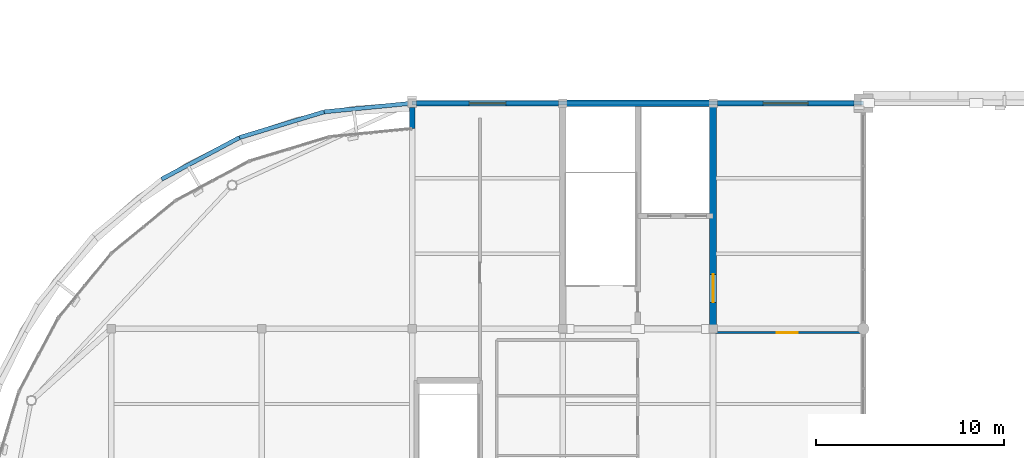
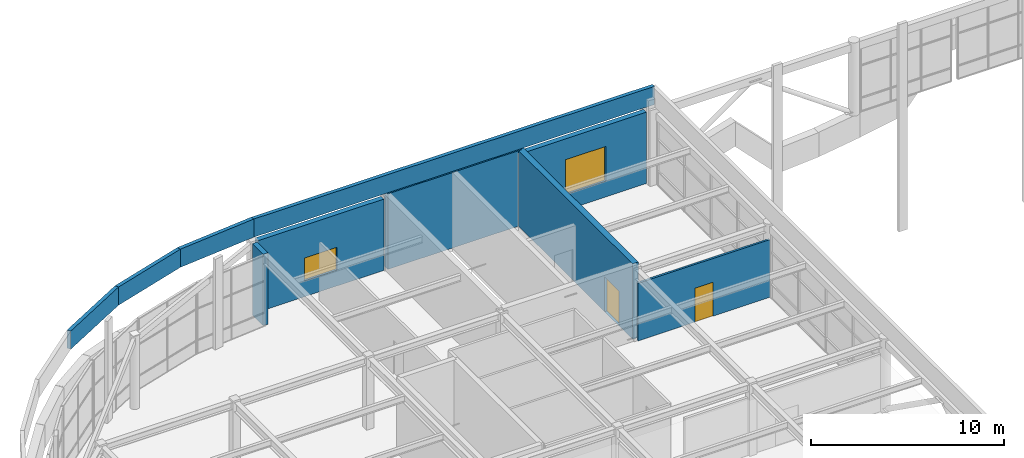
# One storey, part 45 of 63: 10 walls, 2 doors, 2 windows, 4 openings.
"""IFC4 building model written with IfcOpenShell, lengths in metres."""

from ifc_helpers import new_model, si_unit, direction, frame, frame_2d, origin, place, context, subcontext, project, spatial, rectangle, extrude, material, layer, layer_set, type_object, element, fill, save


model = new_model("IFC4")

# Units and contexts
model_context = context("Model", 3, precision=1e-05, world=origin(), true_north=direction((0.0, 1.0)))
body_context = subcontext(model_context, "Body", "Model", "MODEL_VIEW")
ifc_project = project(units=[si_unit("LENGTHUNIT", "METRE"), si_unit("AREAUNIT", "SQUARE_METRE"), si_unit("VOLUMEUNIT", "CUBIC_METRE"), si_unit("PLANEANGLEUNIT", "RADIAN"), si_unit("MASSUNIT", "GRAM", prefix="KILO")], contexts=[model_context])

# Site, building, storey
site_placement = place(None, origin())
site = spatial("IfcSite", under=ifc_project, at=site_placement, CompositionType="ELEMENT")
building_placement = place(site_placement, origin())
building = spatial("IfcBuilding", under=site, at=building_placement, Name="Keelwater Ferry Terminal", CompositionType="ELEMENT")
storey_placement = place(building_placement, frame((0.0, 0.0, 10.199951171875)))
storey = spatial("IfcBuildingStorey", under=building, at=storey_placement, Name="L02", CompositionType="ELEMENT", Elevation=10.199951171875)

# Wall
ifc_material_1 = material(Name="Precast concrete C40/50", Category="concrete")
ifc_layer_1 = layer(ifc_material_1, 0.300048828125)
ifc_layer_set_1 = layer_set([ifc_layer_1], Name="Precast concrete C40/50")
wall_type_1 = type_object("IfcWallType", Name="EW-PC300 External Solid Wall 300", PredefinedType="SOLIDWALL", material=ifc_layer_set_1)
wall_1_placement = place(storey_placement, frame((24.0, 89.77490234375, 0.0), z_axis=(0.0, 0.0, 1.0), x_axis=(0.0, -1.0, 0.0)))
element("IfcWall", 1, at=wall_1_placement, inside=storey, type_object=wall_type_1, Name="External Wall WL-L02-0025", PredefinedType="SOLIDWALL", context=body_context, shape_type="SweptSolid", body=[
    extrude(rectangle(XDim=1.125, YDim=0.300048828125, at=frame_2d((0.5625, 0.0))), origin(), (0.0, 0.0, 1.0), 4.52001953125),
])

# Wall, opening, window
wall_2_placement = place(storey_placement, frame((24.22509765625, 90.0, 0.0), z_axis=(0.0, 0.0, 1.0), x_axis=(1.0, 0.0, 0.0)))
wall_2 = element("IfcWall", 2, at=wall_2_placement, inside=storey, type_object=wall_type_1, Name="External Wall WL-L02-0066", PredefinedType="SOLIDWALL", context=body_context, shape_type="SweptSolid", body=[
    extrude(rectangle(XDim=7.5498046875, YDim=0.300048828125, at=frame_2d((3.77490234375, 0.0))), origin(), (0.0, 0.0, 1.0), 4.52001953125),
])
opening_1_placement = place(wall_2_placement, frame((2.800048828125, 0.0, 1.0)))
opening_1 = element("IfcOpeningElement", 3, at=opening_1_placement, cuts=wall_2, Name="Opening WN-32", PredefinedType="OPENING", context=body_context, shape_type="SweptSolid", body=[
    extrude(rectangle(XDim=1.949951171875, YDim=1.449951171875, at=frame_2d((0.97509765625, 0.72509765625))), frame((0.0, 0.159912109375, 0.0), z_axis=(0.0, -1.0, 0.0), x_axis=(1.0, 0.0, 0.0)), (0.0, 0.0, 1.0), 0.320068359375),
])
ifc_material_2 = material(Name="Triple low-E glass in thermally broken aluminium frame", Category="aluminium")
window_type_1 = type_object("IfcWindowType", Name="WN-32 Exterior Window 1950x1450", PartitioningType="SINGLE_PANEL", PredefinedType="WINDOW", material=ifc_material_2)
window_1_placement = place(opening_1_placement, origin())
window_1 = element("IfcWindow", 4, at=window_1_placement, inside=storey, type_object=window_type_1, Name="Window WN-L02-0032", OverallHeight=1.449951171875, OverallWidth=1.949951171875, PartitioningType="SINGLE_PANEL", PredefinedType="WINDOW", context=body_context, shape_type="SweptSolid", body=[
    extrude(rectangle(XDim=1.949951171875, YDim=1.449951171875, at=frame_2d((0.97509765625, 0.72509765625))), frame((0.0, 0.030029296875, 0.0), z_axis=(0.0, -1.0, 0.0), x_axis=(1.0, 0.0, 0.0)), (0.0, 0.0, 1.0), 0.06005859375),
])
fill(opening_1, window_1)

wall_3_placement = place(storey_placement, frame((40.22509765625, 90.0, 0.0), z_axis=(0.0, 0.0, 1.0), x_axis=(1.0, 0.0, 0.0)))
wall_3 = element("IfcWall", 5, at=wall_3_placement, inside=storey, type_object=wall_type_1, Name="External Wall WL-L02-0069", PredefinedType="SOLIDWALL", context=body_context, shape_type="SweptSolid", body=[
    extrude(rectangle(XDim=7.27490234375, YDim=0.300048828125, at=frame_2d((3.637451171875, 0.0))), origin(), (0.0, 0.0, 1.0), 4.52001953125),
])
opening_2_placement = place(wall_3_placement, frame((2.43701171875, 0.0, 1.0)))
opening_2 = element("IfcOpeningElement", 6, at=opening_2_placement, cuts=wall_3, Name="Opening WN-01", PredefinedType="OPENING", context=body_context, shape_type="SweptSolid", body=[
    extrude(rectangle(XDim=2.39990234375, YDim=2.199951171875, at=frame_2d((1.199951171875, 1.10009765625))), frame((0.0, 0.159912109375, 0.0), z_axis=(0.0, -1.0, 0.0), x_axis=(1.0, 0.0, 0.0)), (0.0, 0.0, 1.0), 0.320068359375),
])
ifc_material_3 = material(Name="Triple low-E glass in thermally broken aluminium frame", Category="aluminium")
window_type_2 = type_object("IfcWindowType", Name="WN-01 Exterior Window 2400x2200", PartitioningType="SINGLE_PANEL", PredefinedType="WINDOW", material=ifc_material_3)
window_2_placement = place(opening_2_placement, origin())
window_2 = element("IfcWindow", 7, at=window_2_placement, inside=storey, type_object=window_type_2, Name="Window WN-L02-0033", OverallHeight=2.199951171875, OverallWidth=2.39990234375, PartitioningType="SINGLE_PANEL", PredefinedType="WINDOW", context=body_context, shape_type="SweptSolid", body=[
    extrude(rectangle(XDim=2.39990234375, YDim=2.199951171875, at=frame_2d((1.199951171875, 1.10009765625))), frame((0.0, 0.030029296875, 0.0), z_axis=(0.0, -1.0, 0.0), x_axis=(1.0, 0.0, 0.0)), (0.0, 0.0, 1.0), 0.06005859375),
])
fill(opening_2, window_2)

# Wall, opening, door
ifc_material_4 = material(Name="Gypsum board on acoustic steel stud", Category="steel")
ifc_layer_2 = layer(ifc_material_4, 0.125)
ifc_layer_set_2 = layer_set([ifc_layer_2], Name="Gypsum board on acoustic steel stud")
wall_type_2 = type_object("IfcWallType", Name="PT-125 Partition Wall 125", PredefinedType="PARTITIONING", material=ifc_layer_set_2)
wall_4_placement = place(storey_placement, frame((40.0, 77.800048828125, 0.0), z_axis=(0.0, 0.0, 1.0), x_axis=(1.0, 0.0, 0.0)))
wall_4 = element("IfcWall", 8, at=wall_4_placement, inside=storey, type_object=wall_type_2, Name="Interior Wall WL-INT-L02-0254", PredefinedType="PARTITIONING", context=body_context, shape_type="SweptSolid", body=[
    extrude(rectangle(XDim=7.89990234375, YDim=0.125, at=frame_2d((3.949951171875, 0.0))), origin(), (0.0, 0.0, 1.0), 3.650146484375),
])
opening_3_placement = place(wall_4_placement, frame((3.39990234375, 0.0, 0.0)))
opening_3 = element("IfcOpeningElement", 9, at=opening_3_placement, cuts=wall_4, Name="Opening DR-035", PredefinedType="OPENING", context=body_context, shape_type="SweptSolid", body=[
    extrude(rectangle(XDim=1.10009765625, YDim=2.14990234375, at=frame_2d((0.550048828125, 1.074951171875))), frame((0.0, 0.072509765625, 0.0), z_axis=(0.0, -1.0, 0.0), x_axis=(1.0, 0.0, 0.0)), (0.0, 0.0, 1.0), 0.14501953125),
])
ifc_material_5 = material(Name="Acoustic oak and fire-rated steel frame door", Category="steel")
door_type_1 = type_object("IfcDoorType", Name="ID-05 Pedestrian Door 1100x2150", OperationType="NOTDEFINED", PredefinedType="DOOR", material=ifc_material_5)
door_1_placement = place(opening_3_placement, origin())
door_1 = element("IfcDoor", 10, at=door_1_placement, inside=storey, type_object=door_type_1, Name="Door DR-035", OperationType="SINGLE_SWING_LEFT", OverallHeight=2.14990234375, OverallWidth=1.10009765625, PredefinedType="DOOR", context=body_context, shape_type="SweptSolid", body=[
    extrude(rectangle(XDim=1.10009765625, YDim=2.14990234375, at=frame_2d((0.550048828125, 1.074951171875))), frame((0.0, 0.02490234375, 0.0), z_axis=(0.0, -1.0, 0.0), x_axis=(1.0, 0.0, 0.0)), (0.0, 0.0, 1.0), 0.050048828125),
])
fill(opening_3, door_1)

# Walls
ifc_material_6 = material(Name="Precast concrete C40/50", Category="concrete")
ifc_layer_3 = layer(ifc_material_6, 0.219970703125)
ifc_layer_set_3 = layer_set([ifc_layer_3], Name="Precast concrete C40/50")
wall_type_3 = type_object("IfcWallType", Name="PW-220 Roof Parapet 220", PredefinedType="PARAPET", material=ifc_layer_set_3)
wall_5_placement = place(storey_placement, frame((24.0, 90.0, 4.800048828125), z_axis=(0.0, 0.0, 1.0), x_axis=(-0.995188621889, -0.097977583466, 0.0)))
element("IfcWall", 11, at=wall_5_placement, inside=storey, type_object=wall_type_3, Name="Roof Parapet 7", PredefinedType="PARAPET", context=body_context, shape_type="SweptSolid", body=[
    extrude(rectangle(XDim=4.70458984375, YDim=0.219970703125, at=frame_2d((2.352294921875, 0.0))), origin(), (0.0, 0.0, 1.0), 1.14990234375),
])
wall_6_placement = place(storey_placement, frame((19.318115234375, 89.5390625, 4.800048828125), z_axis=(0.0, 0.0, 1.0), x_axis=(-0.956926153386, -0.290331426072, 0.0)))
element("IfcWall", 12, at=wall_6_placement, inside=storey, type_object=wall_type_3, Name="Roof Parapet 8", PredefinedType="PARAPET", context=body_context, shape_type="SweptSolid", body=[
    extrude(rectangle(XDim=4.704833984375, YDim=0.219970703125, at=frame_2d((2.3525390625, 0.0))), origin(), (0.0, 0.0, 1.0), 1.14990234375),
])
wall_7_placement = place(storey_placement, frame((14.81591796875, 88.173095703125, 4.800048828125), z_axis=(0.0, 0.0, 1.0), x_axis=(-0.881934643773, -0.471371704829, 0.0)))
element("IfcWall", 13, at=wall_7_placement, inside=storey, type_object=wall_type_3, Name="Roof Parapet 9", PredefinedType="PARAPET", context=body_context, shape_type="SweptSolid", body=[
    extrude(rectangle(XDim=4.70556640625, YDim=0.219970703125, at=frame_2d((2.352783203125, 0.0))), origin(), (0.0, 0.0, 1.0), 1.14990234375),
])
wall_8_placement = place(storey_placement, frame((48.0, 90.0, 4.800048828125), z_axis=(0.0, 0.0, 1.0), x_axis=(-1.0, 0.0, 0.0)))
element("IfcWall", 14, at=wall_8_placement, inside=storey, type_object=wall_type_3, Name="Roof Parapet 25", PredefinedType="PARAPET", context=body_context, shape_type="SweptSolid", body=[
    extrude(rectangle(XDim=24.0, YDim=0.219970703125, at=frame_2d((12.0, 0.0))), origin(), (0.0, 0.0, 1.0), 1.14990234375),
])
ifc_material_7 = material(Name="Concrete C45/55", Category="concrete")
ifc_layer_4 = layer(ifc_material_7, 0.35009765625)
ifc_layer_set_4 = layer_set([ifc_layer_4], Name="Concrete C45/55")
wall_type_4 = type_object("IfcWallType", Name="SW-350 Shear Wall 350", PredefinedType="SHEAR", material=ifc_layer_set_4)
wall_9_placement = place(storey_placement, frame((32.0, 90.0, 0.0), z_axis=(0.0, 0.0, 1.0), x_axis=(1.0, 0.0, 0.0)))
element("IfcWall", 15, at=wall_9_placement, inside=storey, type_object=wall_type_4, Name="Interior Wall WL-INT-L02-0014", PredefinedType="SHEAR", context=body_context, shape_type="SweptSolid", body=[
    extrude(rectangle(XDim=8.0, YDim=0.35009765625, at=frame_2d((4.0, 0.0))), origin(), (0.0, 0.0, 1.0), 4.780029296875),
])

# Wall, opening, door
wall_10_placement = place(storey_placement, frame((40.0, 78.0, 0.0), z_axis=(0.0, 0.0, 1.0), x_axis=(0.0, 1.0, 0.0)))
wall_10 = element("IfcWall", 16, at=wall_10_placement, inside=storey, type_object=wall_type_4, Name="Interior Wall WL-INT-L02-0016", PredefinedType="SHEAR", context=body_context, shape_type="SweptSolid", body=[
    extrude(rectangle(XDim=12.0, YDim=0.35009765625, at=frame_2d((6.0, 0.0))), origin(), (0.0, 0.0, 1.0), 4.780029296875),
])
opening_4_placement = place(wall_10_placement, frame((1.39990234375, 0.0, 0.0)))
opening_4 = element("IfcOpeningElement", 17, at=opening_4_placement, cuts=wall_10, Name="Opening FD-006", PredefinedType="OPENING", context=body_context, shape_type="SweptSolid", body=[
    extrude(rectangle(XDim=1.5, YDim=2.199951171875, at=frame_2d((0.75, 1.10009765625))), frame((0.0, 0.18505859375, 0.0), z_axis=(0.0, -1.0, 0.0), x_axis=(1.0, 0.0, 0.0)), (0.0, 0.0, 1.0), 0.3701171875),
])
ifc_material_8 = material(Name="Acoustic oak and fire-rated steel frame door", Category="steel")
door_type_2 = type_object("IfcDoorType", Name="ID-02 Pedestrian Door 1500x2200", OperationType="DOUBLE_DOOR_SINGLE_SWING", PredefinedType="DOOR", material=ifc_material_8)
door_2_placement = place(opening_4_placement, origin())
door_2 = element("IfcDoor", 18, at=door_2_placement, inside=storey, type_object=door_type_2, Name="Door FD-006", OperationType="DOUBLE_DOOR_SINGLE_SWING", OverallHeight=2.199951171875, OverallWidth=1.5, PredefinedType="DOOR", context=body_context, shape_type="SweptSolid", body=[
    extrude(rectangle(XDim=1.5, YDim=2.199951171875, at=frame_2d((0.75, 1.10009765625))), frame((0.0, 0.02490234375, 0.0), z_axis=(0.0, -1.0, 0.0), x_axis=(1.0, 0.0, 0.0)), (0.0, 0.0, 1.0), 0.050048828125),
])
fill(opening_4, door_2)

save(model, "model.ifc")
